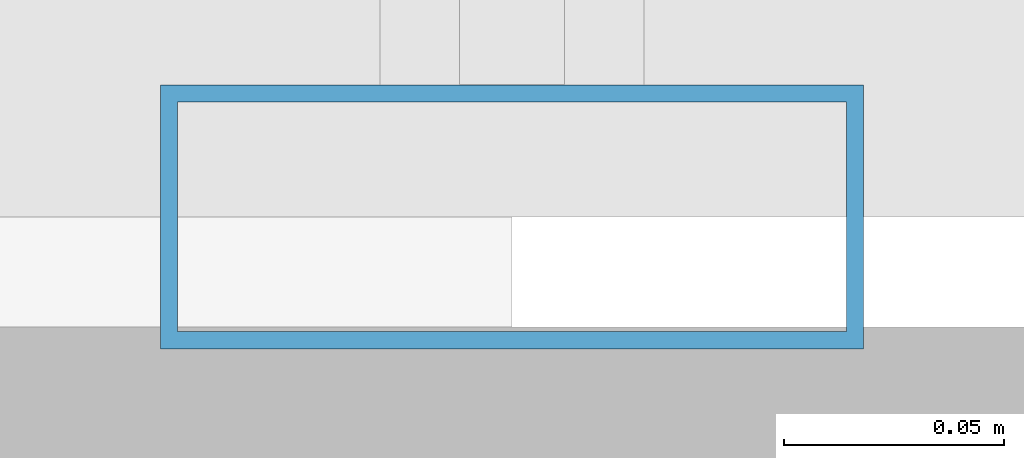
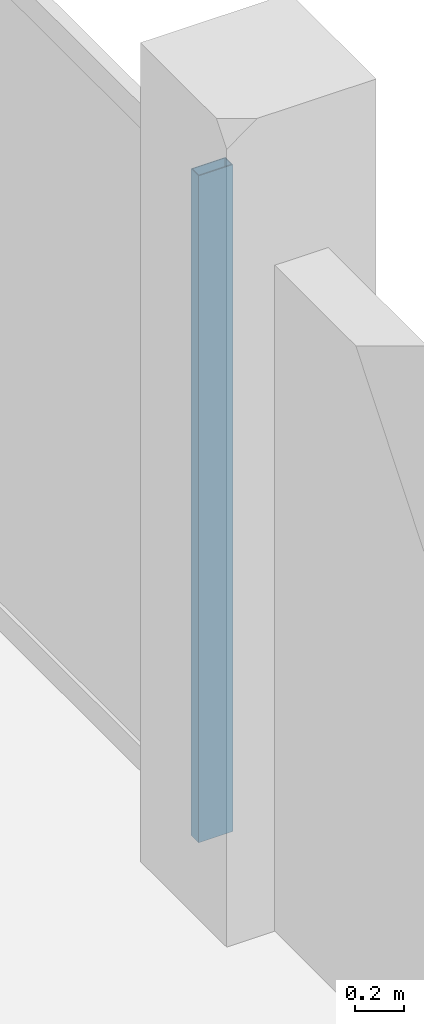
# One storey, part 9 of 77: 1 member, 1 element without a shape of its own.
"""IFC4 building model written with IfcOpenShell, lengths in metres."""

import ifcopenshell
import ifcopenshell.guid

model = None  # the IFC model being written
_history = None  # IfcOwnerHistory: only IFC2X3 demands one
_inside = {}  # id of a spatial element -> (the spatial element, [elements in it])
_under = {}  # id of a project, library or spatial element -> (it, [spatial elements below it])
_declared = {}  # id of a project -> (the project, [libraries it declares])
_typed = {}  # id of a type object -> (the type object, [elements of that type])
_made_of = {}  # id of a material, layer set ... -> (it, [elements and type objects made of it])


def new_model(schema):
    """Start an empty IFC model of exactly this schema.

    Asked for "IFC4X3", IfcOpenShell would pick the latest addendum, in which some entities
    have other attributes; the version numbers below select the first issue.
    IFC2X3 requires an IfcOwnerHistory on every rooted entity: one is made here for all.
    """
    global model, _history
    if schema == "IFC4X3":
        model = ifcopenshell.file(schema_version=(4, 3, 0, 0))
    else:
        model = ifcopenshell.file(schema=schema)
    _inside.clear()
    _under.clear()
    _declared.clear()
    _typed.clear()
    _made_of.clear()
    _history = None
    if model.schema == "IFC2X3":
        org = make("IfcOrganization", Name="unknown")
        user = make(
            "IfcPersonAndOrganization",
            ThePerson=make("IfcPerson", FamilyName="unknown"),
            TheOrganization=org,
        )
        app = make(
            "IfcApplication",
            ApplicationDeveloper=org,
            Version="unknown",
            ApplicationFullName="unknown",
            ApplicationIdentifier="unknown",
        )
        _history = make(
            "IfcOwnerHistory",
            OwningUser=user,
            OwningApplication=app,
            ChangeAction="ADDED",
            CreationDate=0,
        )
    return model


def make(cls, **values):
    """One entity of the class cls with the attributes given. An attribute that is None is left unset."""
    return model.create_entity(
        cls, **{name: value for name, value in values.items() if value is not None}
    )


def rooted(cls, **values):
    """An entity with a GlobalId (a new one), such as an element, a storey or a relation."""
    return make(cls, GlobalId=ifcopenshell.guid.new(), OwnerHistory=_history, **values)


def si_unit(unit_type, name, prefix=None):
    """IfcSIUnit, for example si_unit("LENGTHUNIT", "METRE", prefix="MILLI")."""
    return make("IfcSIUnit", UnitType=unit_type, Prefix=prefix, Name=name)


def assignment(units):
    """IfcUnitAssignment: the units of a project."""
    return None if units is None else make("IfcUnitAssignment", Units=units)


def point(xyz):
    """IfcCartesianPoint."""
    return None if xyz is None else make("IfcCartesianPoint", Coordinates=xyz)


def direction(xyz):
    """IfcDirection."""
    return None if xyz is None else make("IfcDirection", DirectionRatios=xyz)


def frame(location, z_axis=None, x_axis=None):
    """IfcAxis2Placement3D, a coordinate frame: its origin and axes. An axis left out is left unset."""
    return make(
        "IfcAxis2Placement3D",
        Location=point(location),
        Axis=direction(z_axis),
        RefDirection=direction(x_axis),
    )


def frame_2d(location, x_axis=None):
    """IfcAxis2Placement2D, a coordinate frame in the plane: its origin and x axis."""
    return make(
        "IfcAxis2Placement2D", Location=point(location), RefDirection=direction(x_axis)
    )


def origin():
    """The frame at (0, 0, 0) with its axes left unset."""
    return frame((0.0, 0.0, 0.0))


def origin_2d():
    """The frame at (0, 0) in the plane with its x axis left unset."""
    return frame_2d((0.0, 0.0))


def place(relative_to, where):
    """IfcLocalPlacement: puts the frame where relative to a parent placement (None: the world)."""
    return make(
        "IfcLocalPlacement", PlacementRelTo=relative_to, RelativePlacement=where
    )


def context(
    kind, dimensions, precision=None, world=None, true_north=None, identifier=None
):
    """IfcGeometricRepresentationContext, for example the 3D "Model" context."""
    return make(
        "IfcGeometricRepresentationContext",
        ContextIdentifier=identifier,
        ContextType=kind,
        CoordinateSpaceDimension=dimensions,
        Precision=precision,
        WorldCoordinateSystem=world,
        TrueNorth=true_north,
    )


def subcontext(parent, identifier, kind, view, scale=None):
    """IfcGeometricRepresentationSubContext, for example "Body" below "Model"."""
    return make(
        "IfcGeometricRepresentationSubContext",
        ContextIdentifier=identifier,
        ContextType=kind,
        ParentContext=parent,
        TargetScale=scale,
        TargetView=view,
    )


def project(units=None, contexts=None):
    """IfcProject with its units and contexts."""
    return rooted(
        "IfcProject",
        Name="project",
        RepresentationContexts=contexts,
        UnitsInContext=assignment(units),
    )


def spatial(cls, under=None, at=None, **own):
    """A site, building, storey or space (cls), placed at a placement, below another one or the project."""
    s = rooted(cls, ObjectPlacement=at, **own)
    if under is not None:
        _under.setdefault(under.id(), (under, []))[1].append(s)
    return s


def profile(cls, at=None, kind="AREA", **sizes):
    """A parametric profile (cls). Its sizes go by their IFC names, for example OverallWidth=200.0."""
    return make(cls, ProfileType=kind, Position=at, **sizes)


def hollow_rectangle(**sizes):
    """IfcRectangleHollowProfileDef."""
    return profile("IfcRectangleHollowProfileDef", **sizes)


def extrude(swept, where, along, depth):
    """IfcExtrudedAreaSolid: the profile swept, set in the frame where, extruded along a direction by depth."""
    return make(
        "IfcExtrudedAreaSolid",
        SweptArea=swept,
        Position=where,
        ExtrudedDirection=direction(along),
        Depth=depth,
    )


def shape(context_of_items, identifier, shape_type, items):
    """IfcShapeRepresentation: the items that make up one representation, for example the "Body"."""
    return make(
        "IfcShapeRepresentation",
        ContextOfItems=context_of_items,
        RepresentationIdentifier=identifier,
        RepresentationType=shape_type,
        Items=items,
    )


def material(Name=None, Category=None):
    """IfcMaterial."""
    return make("IfcMaterial", Name=Name, Category=Category)


def layer(
    of_material, thickness, ventilated=None, Name=None, Category=None, Priority=None
):
    """IfcMaterialLayer: one layer of a wall or slab, of a material (None: an air gap)."""
    return make(
        "IfcMaterialLayer",
        Material=of_material,
        LayerThickness=thickness,
        IsVentilated=ventilated,
        Name=Name,
        Category=Category,
        Priority=Priority,
    )


def layer_set(layers, Name=None):
    """IfcMaterialLayerSet."""
    return make("IfcMaterialLayerSet", MaterialLayers=layers, LayerSetName=Name)


def material_profile(
    of_material, cross_section, Name=None, Category=None, Priority=None
):
    """IfcMaterialProfile: a cross section and its material."""
    return make(
        "IfcMaterialProfile",
        Name=Name,
        Material=of_material,
        Profile=cross_section,
        Priority=Priority,
        Category=Category,
    )


def profile_set(profiles, Name=None, composite=None):
    """IfcMaterialProfileSet."""
    return make(
        "IfcMaterialProfileSet",
        Name=Name,
        MaterialProfiles=profiles,
        CompositeProfile=composite,
    )


def made_of(thing, what):
    """Note that an element or type object is made of a material, layer set ...; save() writes the relation."""
    if what is not None:
        _made_of.setdefault(what.id(), (what, []))[1].append(thing)
    return thing


def type_object(cls, material=None, **own):
    """A type object (cls), such as IfcWallType, which elements share."""
    return made_of(rooted(cls, **own), material)


def element(
    cls,
    number,
    at=None,
    inside=None,
    cuts=None,
    type_object=None,
    material=None,
    context=None,
    identifier="Body",
    shape_type=None,
    held_by="IfcProductDefinitionShape",
    body=None,
    shapes=None,
    **own,
):
    """One element of the class cls, such as IfcWall. Its Tag is "e" and its number.

    at: its placement. inside: the storey or other place that contains it. cuts: it is an
    opening in that element (IfcRelVoidsElement). A single representation is given by context,
    identifier, shape_type and body (its items); several are given by shapes. held_by: the class
    of the entity that holds the representations. save() writes the other relations.
    """
    e = rooted(cls, Tag="e%d" % number, ObjectPlacement=at, **own)
    if body is not None:
        shapes = [shape(context, identifier, shape_type, body)]
    if shapes is not None:
        e.Representation = make(held_by, Representations=shapes)
    if inside is not None:
        _inside.setdefault(inside.id(), (inside, []))[1].append(e)
    if cuts is not None:
        rooted(
            "IfcRelVoidsElement", RelatingBuildingElement=cuts, RelatedOpeningElement=e
        )
    if type_object is not None:
        _typed.setdefault(type_object.id(), (type_object, []))[1].append(e)
    return made_of(e, material)


def aggregate(whole, parts):
    """IfcRelAggregates: a whole, such as a stair, and the parts it consists of."""
    return rooted("IfcRelAggregates", RelatingObject=whole, RelatedObjects=parts)


def save(model, path):
    """Write the relations noted so far, then the file.

    IfcRelAggregates (storeys below a building ...), IfcRelContainedInSpatialStructure (elements
    in a storey), IfcRelDefinesByType, IfcRelAssociatesMaterial and IfcRelDeclares: one each for
    every whole, place, type object, material and project.
    """
    for whole, parts in _under.values():
        aggregate(whole, parts)
    for where, things in _inside.values():
        rooted(
            "IfcRelContainedInSpatialStructure",
            RelatedElements=things,
            RelatingStructure=where,
        )
    for kind, things in _typed.values():
        rooted("IfcRelDefinesByType", RelatedObjects=things, RelatingType=kind)
    for what, things in _made_of.values():
        rooted("IfcRelAssociatesMaterial", RelatedObjects=things, RelatingMaterial=what)
    for by, libraries in _declared.values():
        rooted("IfcRelDeclares", RelatingContext=by, RelatedDefinitions=libraries)
    model.write(path)


model = new_model("IFC4")

# Units and contexts
model_context = context("Model", 3, precision=1e-05, world=origin(), true_north=direction((0.0, 1.0)))
body_context = subcontext(model_context, "Body", "Model", "MODEL_VIEW")
ifc_project = project(units=[si_unit("LENGTHUNIT", "METRE"), si_unit("AREAUNIT", "SQUARE_METRE"), si_unit("VOLUMEUNIT", "CUBIC_METRE"), si_unit("PLANEANGLEUNIT", "RADIAN"), si_unit("MASSUNIT", "GRAM", prefix="KILO")], contexts=[model_context])

# Site, building, storey
site_placement = place(None, origin())
site = spatial("IfcSite", under=ifc_project, at=site_placement, CompositionType="ELEMENT")
building_placement = place(site_placement, origin())
building = spatial("IfcBuilding", under=site, at=building_placement, Name="Kangsadwip Square Police Headquarters", CompositionType="ELEMENT")
storey_placement = place(building_placement, frame((0.0, 0.0, 17.550048828125)))
storey = spatial("IfcBuildingStorey", under=building, at=storey_placement, Name="L04", CompositionType="ELEMENT", Elevation=17.550048828125)

# Curtain wall, member
ifc_material_1 = material(Name="Thermally broken anodised aluminium AW-6063-T6", Category="aluminium")
ifc_layer = layer(ifc_material_1, 0.159912109375)
ifc_layer_set = layer_set([ifc_layer], Name="Thermally broken anodised aluminium AW-6063-T6")
curtain_wall_type = type_object("IfcCurtainWallType", Name="CourtScreen6510x3300", PredefinedType="USERDEFINED", material=ifc_layer_set)
curtain_wall_placement = place(storey_placement, origin())
curtain_wall = element("IfcCurtainWall", 1, at=curtain_wall_placement, inside=storey, type_object=curtain_wall_type, Name="Curtain Wall CW-L04-0216-0507", ObjectType="GLAZED_SCREEN", PredefinedType="USERDEFINED")
ifc_material_2 = material(Name="Thermally broken anodised aluminium AW-6063-T6", Category="aluminium")
ifc_material_profile = material_profile(ifc_material_2, hollow_rectangle(XDim=0.06005859375, YDim=0.159912109375, WallThickness=0.00390625, at=origin_2d()), Name="CWM 160X60X4")
ifc_profile_set = profile_set([ifc_material_profile], Name="Thermally broken anodised aluminium AW-6063-T6")
member_type = type_object("IfcMemberType", Name="CwMullion135x60", PredefinedType="MULLION", material=ifc_profile_set)
member_placement = place(storey_placement, frame((21.60009765625, 50.77490234375, 0.0), z_axis=(0.0, 0.0, 1.0), x_axis=(0.0, 1.0, 0.0)))
member = element("IfcMember", 2, at=member_placement, type_object=member_type, Name="CW-46 mullion 1", PredefinedType="MULLION", context=body_context, shape_type="SweptSolid", body=[
    extrude(hollow_rectangle(XDim=0.06005859375, YDim=0.159912109375, WallThickness=0.00390625, at=origin_2d()), origin(), (0.0, 0.0, 1.0), 3.300048828125),
])
aggregate(curtain_wall, [member])

save(model, "model.ifc")
